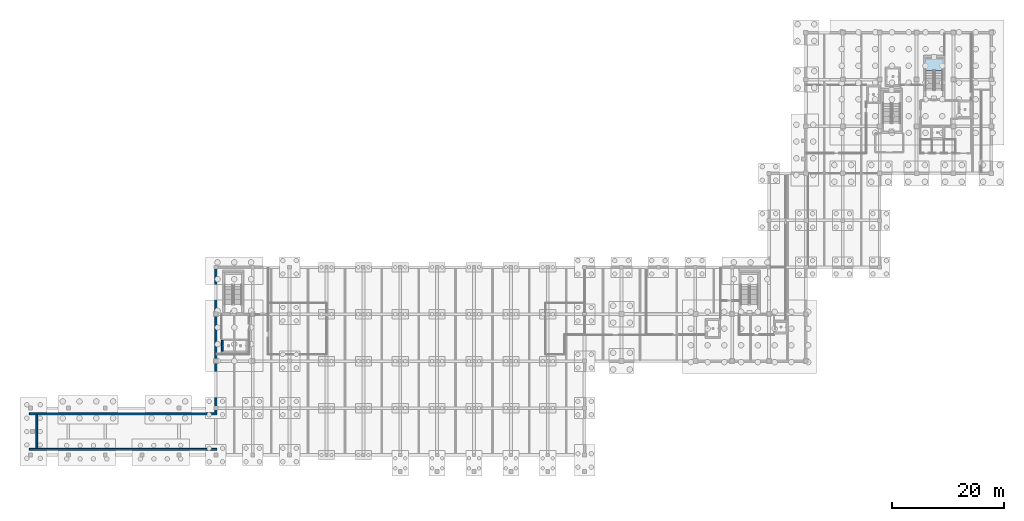
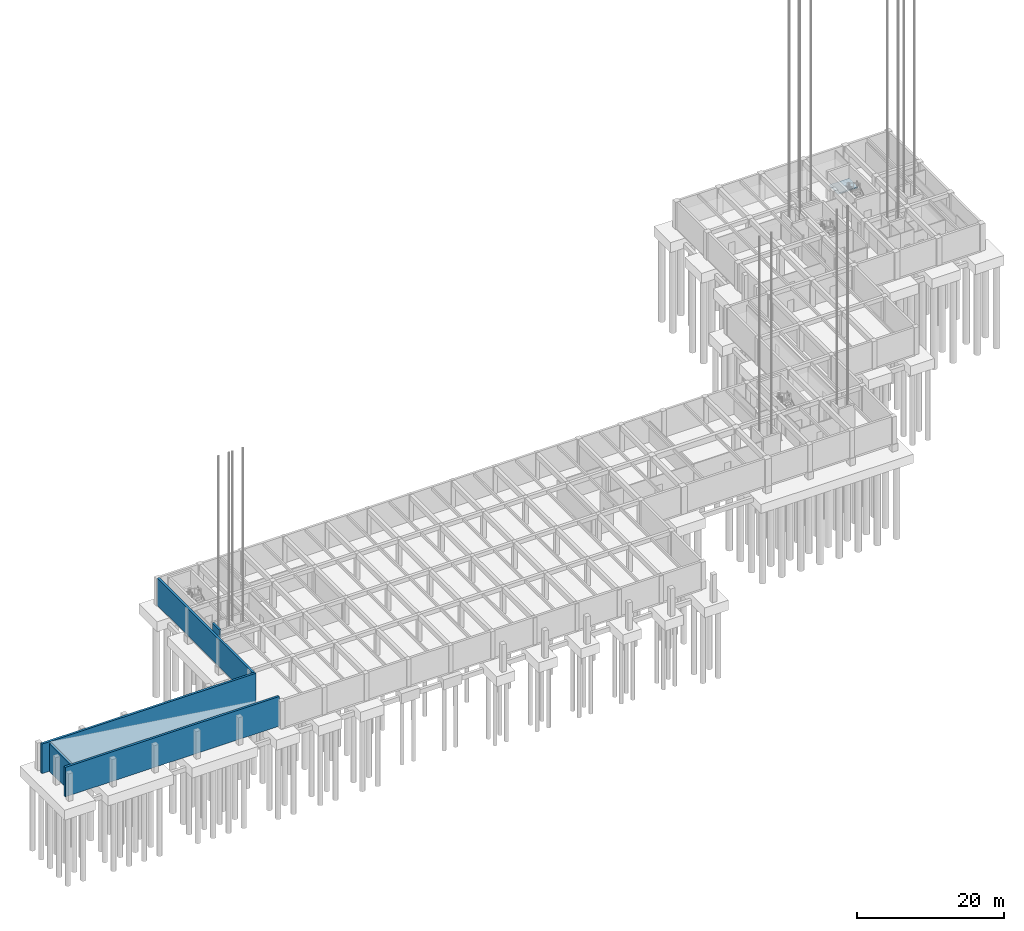
# One storey, part 32 of 44: 5 walls, 1 slab, 1 element without a shape of its own.
"""IFC4 building model written with IfcOpenShell, lengths in metres."""

from ifc_helpers import new_model, si_unit, direction, frame, frame_2d, origin, place, context, subcontext, project, spatial, polyline, rectangle, outline, extrude, material, layer, layer_set, type_object, element, aggregate, save


model = new_model("IFC4")

# Units and contexts
model_context = context("Model", 3, precision=1e-05, world=origin(), true_north=direction((0.0, 1.0)))
body_context = subcontext(model_context, "Body", "Model", "MODEL_VIEW")
ifc_project = project(units=[si_unit("LENGTHUNIT", "METRE"), si_unit("AREAUNIT", "SQUARE_METRE"), si_unit("VOLUMEUNIT", "CUBIC_METRE"), si_unit("PLANEANGLEUNIT", "RADIAN"), si_unit("MASSUNIT", "GRAM", prefix="KILO")], contexts=[model_context])

# Site, building, storey
site_placement = place(None, origin())
site = spatial("IfcSite", under=ifc_project, at=site_placement, CompositionType="ELEMENT")
building_placement = place(site_placement, origin())
building = spatial("IfcBuilding", under=site, at=building_placement, Name="Kolvaren Faculty of Natural Sciences", CompositionType="ELEMENT")
storey_placement = place(building_placement, frame((0.0, 0.0, -4.5)))
storey = spatial("IfcBuildingStorey", under=building, at=storey_placement, Name="B01", CompositionType="ELEMENT", Elevation=-4.5)

# Stair, slab
ifc_material_1 = material(Name="Concrete C35/45", Category="concrete")
stair_type = type_object("IfcStairType", Name="DoglegStair_H4500", PredefinedType="HALF_TURN_STAIR", material=ifc_material_1)
stair_placement = place(storey_placement, origin())
stair = element("IfcStair", 1, at=stair_placement, inside=storey, type_object=stair_type, Name="B01 Protected exit stair ST-1", PredefinedType="HALF_TURN_STAIR")
ifc_layer_1 = layer(ifc_material_1, 0.199951171875)
ifc_layer_set_1 = layer_set([ifc_layer_1], Name="Concrete C35/45")
slab_type = type_object("IfcSlabType", Name="StairLandingSlab_200", PredefinedType="LANDING", material=ifc_layer_set_1)
slab_placement = place(storey_placement, frame((0.0, 0.0, 2.050048828125)))
slab = element("IfcSlab", 2, at=slab_placement, type_object=slab_type, Name="ST-1 landing 1", PredefinedType="LANDING", context=body_context, shape_type="SweptSolid", body=[
    extrude(outline(polyline([(163.300048828125, 77.43994140625), (163.300048828125, 79.800048828125), (160.199951171875, 79.800048828125), (160.199951171875, 77.43994140625), (163.300048828125, 77.43994140625)])), origin(), (0.0, 0.0, 1.0), 0.199951171875),
])
aggregate(stair, [slab])

# Walls
ifc_layer_2 = layer(ifc_material_1, 0.35009765625)
ifc_layer_set_2 = layer_set([ifc_layer_2], Name="Concrete C35/45")
wall_type_1 = type_object("IfcWallType", Name="BasementRetainingWall_350", PredefinedType="SOLIDWALL", material=ifc_layer_set_2)
wall_1_placement = place(storey_placement, frame((33.199951171875, 16.14990234375, 0.0), z_axis=(0.0, 0.0, 1.0), x_axis=(0.0, 1.0, 0.0)))
element("IfcWall", 3, at=wall_1_placement, inside=storey, type_object=wall_type_1, Name="B01 perimeter reinforced concrete retaining wall 1.2", PredefinedType="SOLIDWALL", context=body_context, shape_type="SweptSolid", body=[
    extrude(rectangle(XDim=25.875, YDim=0.35009765625, at=frame_2d((12.9375, 0.0))), origin(), (0.0, 0.0, 1.0), 4.5),
])
for number, where, z_axis, x_axis, name in (
    (4, (-0.175048828125, 9.625, -0.39990234375), (0.0, 0.0, 1.0), (1.0, 0.0, 0.0), "Vehicle ramp S retaining wall"),
    (5, (-0.175048828125, 15.97509765625, -0.39990234375), (0.0, 0.0, 1.0), (1.0, 0.0, 0.0), "Vehicle ramp N retaining wall"),
):
    element("IfcWall", number, at=place(storey_placement, frame(where, z_axis=z_axis, x_axis=x_axis)), inside=storey, type_object=wall_type_1, Name=name, PredefinedType="SOLIDWALL", context=body_context, shape_type="SweptSolid", body=[
        extrude(rectangle(XDim=33.550048828125, YDim=0.35009765625, at=frame_2d((16.77490234375, 0.0))), origin(), (0.0, 0.0, 1.0), 4.89990234375),
    ])
wall_2_placement = place(storey_placement, frame((1.14990234375, 9.800048828125, -0.39990234375), z_axis=(0.0, 0.0, 1.0), x_axis=(0.0, 1.0, 0.0)))
element("IfcWall", 6, at=wall_2_placement, inside=storey, type_object=wall_type_1, Name="Vehicle ramp west head retaining wall", PredefinedType="SOLIDWALL", context=body_context, shape_type="SweptSolid", body=[
    extrude(rectangle(XDim=6.0, YDim=0.35009765625, at=frame_2d((3.0, 0.0))), origin(), (0.0, 0.0, 1.0), 4.579833984375),
])
ifc_material_2 = material(Name="Concrete C40/50", Category="concrete")
ifc_layer_3 = layer(ifc_material_2, 0.300048828125)
ifc_layer_set_3 = layer_set([ifc_layer_3], Name="Concrete C40/50")
wall_type_2 = type_object("IfcWallType", Name="ShaftShearWall_300", PredefinedType="SHEAR", material=ifc_layer_set_3)
wall_3_placement = place(storey_placement, frame((34.35009765625, 27.199951171875, -0.820068359375), z_axis=(0.0, 0.0, 1.0), x_axis=(0.0, 1.0, 0.0)))
element("IfcWall", 7, at=wall_3_placement, inside=storey, type_object=wall_type_2, Name="B01 lift PL-2 shaft wall W", PredefinedType="SHEAR", context=body_context, shape_type="SweptSolid", body=[
    extrude(rectangle(XDim=1.900146484375, YDim=0.300048828125, at=frame_2d((0.9501953125, 0.0))), origin(), (0.0, 0.0, 1.0), 5.320068359375),
])

save(model, "model.ifc")
